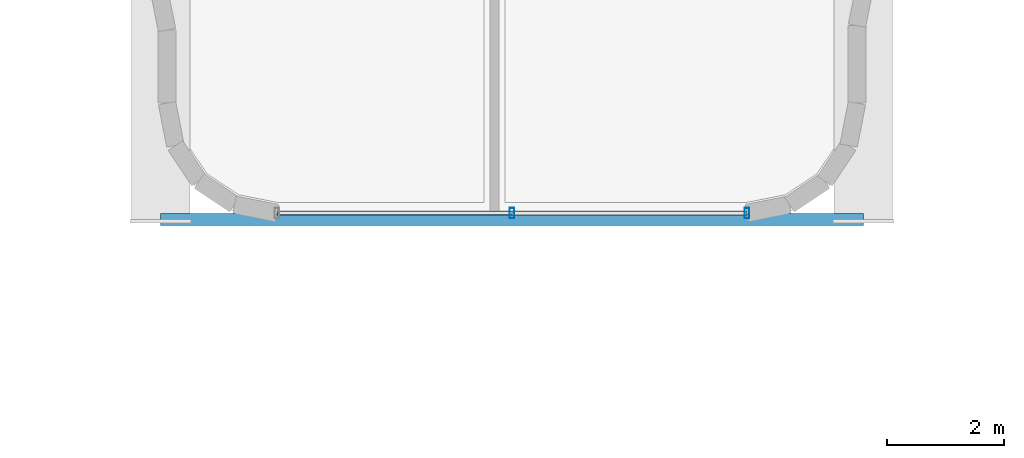
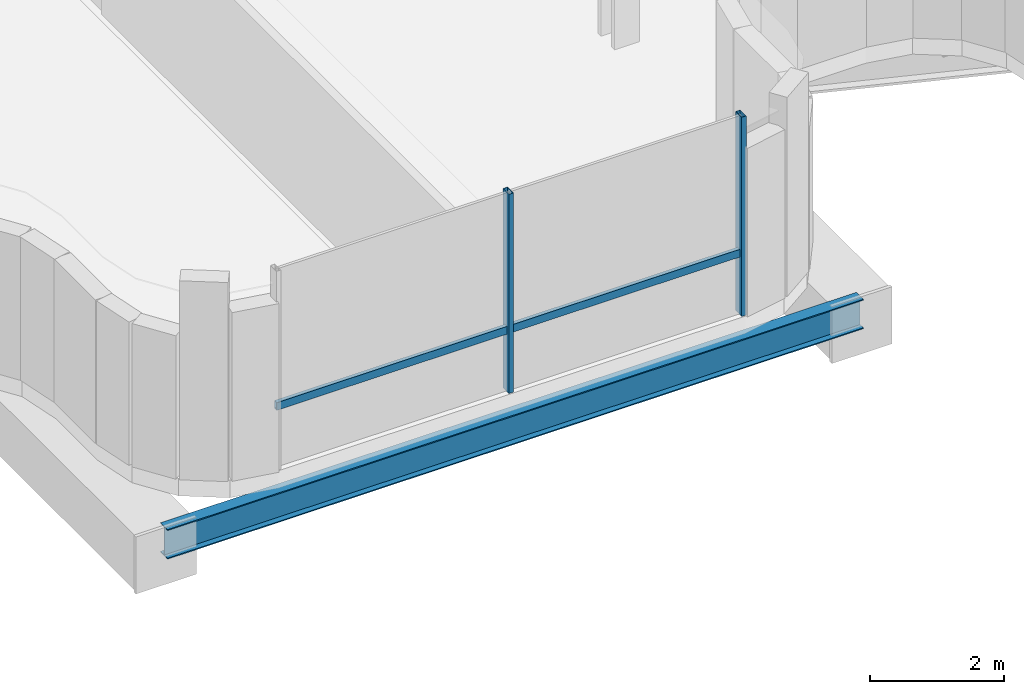
# One storey, part 10 of 38: 3 members, 1 beam, 1 element without a shape of its own.
"""IFC4 building model written with IfcOpenShell, lengths in metres."""

import ifcopenshell
import ifcopenshell.guid

model = None  # the IFC model being written
_history = None  # IfcOwnerHistory: only IFC2X3 demands one
_inside = {}  # id of a spatial element -> (the spatial element, [elements in it])
_under = {}  # id of a project, library or spatial element -> (it, [spatial elements below it])
_declared = {}  # id of a project -> (the project, [libraries it declares])
_typed = {}  # id of a type object -> (the type object, [elements of that type])
_made_of = {}  # id of a material, layer set ... -> (it, [elements and type objects made of it])


def new_model(schema):
    """Start an empty IFC model of exactly this schema.

    Asked for "IFC4X3", IfcOpenShell would pick the latest addendum, in which some entities
    have other attributes; the version numbers below select the first issue.
    IFC2X3 requires an IfcOwnerHistory on every rooted entity: one is made here for all.
    """
    global model, _history
    if schema == "IFC4X3":
        model = ifcopenshell.file(schema_version=(4, 3, 0, 0))
    else:
        model = ifcopenshell.file(schema=schema)
    _inside.clear()
    _under.clear()
    _declared.clear()
    _typed.clear()
    _made_of.clear()
    _history = None
    if model.schema == "IFC2X3":
        org = make("IfcOrganization", Name="unknown")
        user = make(
            "IfcPersonAndOrganization",
            ThePerson=make("IfcPerson", FamilyName="unknown"),
            TheOrganization=org,
        )
        app = make(
            "IfcApplication",
            ApplicationDeveloper=org,
            Version="unknown",
            ApplicationFullName="unknown",
            ApplicationIdentifier="unknown",
        )
        _history = make(
            "IfcOwnerHistory",
            OwningUser=user,
            OwningApplication=app,
            ChangeAction="ADDED",
            CreationDate=0,
        )
    return model


def make(cls, **values):
    """One entity of the class cls with the attributes given. An attribute that is None is left unset."""
    return model.create_entity(
        cls, **{name: value for name, value in values.items() if value is not None}
    )


def rooted(cls, **values):
    """An entity with a GlobalId (a new one), such as an element, a storey or a relation."""
    return make(cls, GlobalId=ifcopenshell.guid.new(), OwnerHistory=_history, **values)


def si_unit(unit_type, name, prefix=None):
    """IfcSIUnit, for example si_unit("LENGTHUNIT", "METRE", prefix="MILLI")."""
    return make("IfcSIUnit", UnitType=unit_type, Prefix=prefix, Name=name)


def assignment(units):
    """IfcUnitAssignment: the units of a project."""
    return None if units is None else make("IfcUnitAssignment", Units=units)


def point(xyz):
    """IfcCartesianPoint."""
    return None if xyz is None else make("IfcCartesianPoint", Coordinates=xyz)


def direction(xyz):
    """IfcDirection."""
    return None if xyz is None else make("IfcDirection", DirectionRatios=xyz)


def frame(location, z_axis=None, x_axis=None):
    """IfcAxis2Placement3D, a coordinate frame: its origin and axes. An axis left out is left unset."""
    return make(
        "IfcAxis2Placement3D",
        Location=point(location),
        Axis=direction(z_axis),
        RefDirection=direction(x_axis),
    )


def frame_2d(location, x_axis=None):
    """IfcAxis2Placement2D, a coordinate frame in the plane: its origin and x axis."""
    return make(
        "IfcAxis2Placement2D", Location=point(location), RefDirection=direction(x_axis)
    )


def origin():
    """The frame at (0, 0, 0) with its axes left unset."""
    return frame((0.0, 0.0, 0.0))


def origin_2d():
    """The frame at (0, 0) in the plane with its x axis left unset."""
    return frame_2d((0.0, 0.0))


def place(relative_to, where):
    """IfcLocalPlacement: puts the frame where relative to a parent placement (None: the world)."""
    return make(
        "IfcLocalPlacement", PlacementRelTo=relative_to, RelativePlacement=where
    )


def context(
    kind, dimensions, precision=None, world=None, true_north=None, identifier=None
):
    """IfcGeometricRepresentationContext, for example the 3D "Model" context."""
    return make(
        "IfcGeometricRepresentationContext",
        ContextIdentifier=identifier,
        ContextType=kind,
        CoordinateSpaceDimension=dimensions,
        Precision=precision,
        WorldCoordinateSystem=world,
        TrueNorth=true_north,
    )


def subcontext(parent, identifier, kind, view, scale=None):
    """IfcGeometricRepresentationSubContext, for example "Body" below "Model"."""
    return make(
        "IfcGeometricRepresentationSubContext",
        ContextIdentifier=identifier,
        ContextType=kind,
        ParentContext=parent,
        TargetScale=scale,
        TargetView=view,
    )


def project(units=None, contexts=None):
    """IfcProject with its units and contexts."""
    return rooted(
        "IfcProject",
        Name="project",
        RepresentationContexts=contexts,
        UnitsInContext=assignment(units),
    )


def spatial(cls, under=None, at=None, **own):
    """A site, building, storey or space (cls), placed at a placement, below another one or the project."""
    s = rooted(cls, ObjectPlacement=at, **own)
    if under is not None:
        _under.setdefault(under.id(), (under, []))[1].append(s)
    return s


def profile(cls, at=None, kind="AREA", **sizes):
    """A parametric profile (cls). Its sizes go by their IFC names, for example OverallWidth=200.0."""
    return make(cls, ProfileType=kind, Position=at, **sizes)


def hollow_rectangle(**sizes):
    """IfcRectangleHollowProfileDef."""
    return profile("IfcRectangleHollowProfileDef", **sizes)


def i_section(**sizes):
    """IfcIShapeProfileDef."""
    return profile("IfcIShapeProfileDef", **sizes)


def extrude(swept, where, along, depth):
    """IfcExtrudedAreaSolid: the profile swept, set in the frame where, extruded along a direction by depth."""
    return make(
        "IfcExtrudedAreaSolid",
        SweptArea=swept,
        Position=where,
        ExtrudedDirection=direction(along),
        Depth=depth,
    )


def shape(context_of_items, identifier, shape_type, items):
    """IfcShapeRepresentation: the items that make up one representation, for example the "Body"."""
    return make(
        "IfcShapeRepresentation",
        ContextOfItems=context_of_items,
        RepresentationIdentifier=identifier,
        RepresentationType=shape_type,
        Items=items,
    )


def source(mapping_origin, context_of_items, identifier, shape_type, items):
    """IfcRepresentationMap: a shape defined once, which mapped items show again and again."""
    return make(
        "IfcRepresentationMap",
        MappingOrigin=mapping_origin,
        MappedRepresentation=shape(context_of_items, identifier, shape_type, items),
    )


def transform(
    local_origin,
    x_axis=None,
    y_axis=None,
    z_axis=None,
    scale=None,
    scale2=None,
    scale3=None,
    uniform=True,
):
    """IfcCartesianTransformationOperator3D, or its non-uniform kind. x_axis, y_axis, z_axis: its Axis1, 2, 3."""
    if uniform:
        return make(
            "IfcCartesianTransformationOperator3D",
            Axis1=direction(x_axis),
            Axis2=direction(y_axis),
            LocalOrigin=point(local_origin),
            Scale=scale,
            Axis3=direction(z_axis),
        )
    return make(
        "IfcCartesianTransformationOperator3DnonUniform",
        Axis1=direction(x_axis),
        Axis2=direction(y_axis),
        LocalOrigin=point(local_origin),
        Scale=scale,
        Axis3=direction(z_axis),
        Scale2=scale2,
        Scale3=scale3,
    )


def mapped(mapping_source, mapping_target):
    """IfcMappedItem: shows the shape of a source again, moved by a transform."""
    return make(
        "IfcMappedItem", MappingSource=mapping_source, MappingTarget=mapping_target
    )


def material(Name=None, Category=None):
    """IfcMaterial."""
    return make("IfcMaterial", Name=Name, Category=Category)


def material_profile(
    of_material, cross_section, Name=None, Category=None, Priority=None
):
    """IfcMaterialProfile: a cross section and its material."""
    return make(
        "IfcMaterialProfile",
        Name=Name,
        Material=of_material,
        Profile=cross_section,
        Priority=Priority,
        Category=Category,
    )


def profile_set(profiles, Name=None, composite=None):
    """IfcMaterialProfileSet."""
    return make(
        "IfcMaterialProfileSet",
        Name=Name,
        MaterialProfiles=profiles,
        CompositeProfile=composite,
    )


def made_of(thing, what):
    """Note that an element or type object is made of a material, layer set ...; save() writes the relation."""
    if what is not None:
        _made_of.setdefault(what.id(), (what, []))[1].append(thing)
    return thing


def type_object(cls, material=None, **own):
    """A type object (cls), such as IfcWallType, which elements share."""
    return made_of(rooted(cls, **own), material)


def element(
    cls,
    number,
    at=None,
    inside=None,
    cuts=None,
    type_object=None,
    material=None,
    context=None,
    identifier="Body",
    shape_type=None,
    held_by="IfcProductDefinitionShape",
    body=None,
    shapes=None,
    **own,
):
    """One element of the class cls, such as IfcWall. Its Tag is "e" and its number.

    at: its placement. inside: the storey or other place that contains it. cuts: it is an
    opening in that element (IfcRelVoidsElement). A single representation is given by context,
    identifier, shape_type and body (its items); several are given by shapes. held_by: the class
    of the entity that holds the representations. save() writes the other relations.
    """
    e = rooted(cls, Tag="e%d" % number, ObjectPlacement=at, **own)
    if body is not None:
        shapes = [shape(context, identifier, shape_type, body)]
    if shapes is not None:
        e.Representation = make(held_by, Representations=shapes)
    if inside is not None:
        _inside.setdefault(inside.id(), (inside, []))[1].append(e)
    if cuts is not None:
        rooted(
            "IfcRelVoidsElement", RelatingBuildingElement=cuts, RelatedOpeningElement=e
        )
    if type_object is not None:
        _typed.setdefault(type_object.id(), (type_object, []))[1].append(e)
    return made_of(e, material)


def aggregate(whole, parts):
    """IfcRelAggregates: a whole, such as a stair, and the parts it consists of."""
    return rooted("IfcRelAggregates", RelatingObject=whole, RelatedObjects=parts)


def save(model, path):
    """Write the relations noted so far, then the file.

    IfcRelAggregates (storeys below a building ...), IfcRelContainedInSpatialStructure (elements
    in a storey), IfcRelDefinesByType, IfcRelAssociatesMaterial and IfcRelDeclares: one each for
    every whole, place, type object, material and project.
    """
    for whole, parts in _under.values():
        aggregate(whole, parts)
    for where, things in _inside.values():
        rooted(
            "IfcRelContainedInSpatialStructure",
            RelatedElements=things,
            RelatingStructure=where,
        )
    for kind, things in _typed.values():
        rooted("IfcRelDefinesByType", RelatedObjects=things, RelatingType=kind)
    for what, things in _made_of.values():
        rooted("IfcRelAssociatesMaterial", RelatedObjects=things, RelatingMaterial=what)
    for by, libraries in _declared.values():
        rooted("IfcRelDeclares", RelatingContext=by, RelatedDefinitions=libraries)
    model.write(path)


model = new_model("IFC4")

# Units and contexts
model_context = context("Model", 3, precision=1e-05, world=origin(), true_north=direction((0.0, 1.0)))
body_context = subcontext(model_context, "Body", "Model", "MODEL_VIEW")
ifc_project = project(units=[si_unit("LENGTHUNIT", "METRE"), si_unit("AREAUNIT", "SQUARE_METRE"), si_unit("VOLUMEUNIT", "CUBIC_METRE"), si_unit("PLANEANGLEUNIT", "RADIAN"), si_unit("MASSUNIT", "GRAM", prefix="KILO")], contexts=[model_context])

# Site, building, storey
site_placement = place(None, origin())
site = spatial("IfcSite", under=ifc_project, at=site_placement, CompositionType="ELEMENT")
building_placement = place(site_placement, origin())
building = spatial("IfcBuilding", under=site, at=building_placement, Name="Valdorenza Pilgrim Sanctuary Tower", CompositionType="ELEMENT")
storey_placement = place(building_placement, frame((0.0, 0.0, 180.5)))
storey = spatial("IfcBuildingStorey", under=building, at=storey_placement, Name="L46", CompositionType="ELEMENT", Elevation=180.5)

# Beam
ifc_material_1 = material(Name="Steel ASTM A992 Grade 50", Category="steel")
ifc_material_profile_1 = material_profile(ifc_material_1, i_section(OverallWidth=0.2109375, OverallDepth=0.5390625, WebThickness=0.01171875, FlangeThickness=0.018798828125, at=origin_2d()), Name="W21X73")
ifc_profile_set_1 = profile_set([ifc_material_profile_1], Name="Steel ASTM A992 Grade 50")
beam_type = type_object("IfcBeamType", Name="STR-BM-SPN-W21B", PredefinedType="SPANDREL", material=ifc_profile_set_1)
shared_shape_1 = source(origin(), body_context, "Body", "SweptSolid", [
    extrude(i_section(OverallWidth=0.2109375, OverallDepth=0.5390625, WebThickness=0.01171875, FlangeThickness=0.018798828125, at=origin_2d()), origin(), (0.0, 0.0, 1.0), 12.0),
])
beam_placement = place(storey_placement, frame((-3.5, -7.199951171875, -0.589599609375), z_axis=(1.0, 0.0, 0.0), x_axis=(0.0, 1.0, 0.0)))
element("IfcBeam", 1, at=beam_placement, inside=storey, type_object=beam_type, Name="L46 South Prow Tip Spandrel PROW-TIP-S", PredefinedType="SPANDREL", context=body_context, shape_type="MappedRepresentation", body=[
    mapped(shared_shape_1, transform((0.0, 0.0, 0.0), x_axis=(1.0, 0.0, 0.0), y_axis=(0.0, 1.0, 0.0), z_axis=(0.0, 0.0, 1.0), scale=1.0)),
])

# Curtain wall, members
ifc_material_2 = material(Name="Curtain-wall IGU glazing", Category="glass")
curtain_wall_type = type_object("IfcCurtainWallType", Name="CW-SYS-05", PredefinedType="NOTDEFINED", material=ifc_material_2)
curtain_wall_placement = place(storey_placement, origin())
curtain_wall = element("IfcCurtainWall", 2, at=curtain_wall_placement, inside=storey, type_object=curtain_wall_type, Name="L46 Curtain Wall CW-L46-1-62", PredefinedType="NOTDEFINED")
ifc_material_3 = material(Name="Anodised aluminium AW-6060", Category="aluminium")
ifc_material_profile_2 = material_profile(ifc_material_3, hollow_rectangle(XDim=0.070068359375, YDim=0.139892578125, WallThickness=0.00341796875, at=origin_2d()), Name="ALU-T 140x70x3.5")
ifc_profile_set_2 = profile_set([ifc_material_profile_2], Name="Anodised aluminium AW-6060")
member_type_1 = type_object("IfcMemberType", Name="CW-TRN-05", PredefinedType="USERDEFINED", material=ifc_profile_set_2)
shared_shape_2 = source(origin(), body_context, "Body", "SweptSolid", [
    extrude(hollow_rectangle(XDim=0.070068359375, YDim=0.139892578125, WallThickness=0.00341796875, at=origin_2d()), origin(), (0.0, 0.0, 1.0), 8.0263671875),
])
member_1_placement = place(storey_placement, frame((6.51318359375, -7.090087890625, 1.1201171875), z_axis=(-1.0, 0.0, 0.0), x_axis=(0.0, -1.0, 0.0)))
member_1 = element("IfcMember", 3, at=member_1_placement, type_object=member_type_1, Name="CW-L46-1-62 Transom 1", ObjectType="TRANSOM", PredefinedType="USERDEFINED", context=body_context, shape_type="MappedRepresentation", body=[
    mapped(shared_shape_2, transform((0.0, 0.0, 0.0), x_axis=(1.0, 0.0, 0.0), y_axis=(0.0, 1.0, 0.0), z_axis=(0.0, 0.0, 1.0), scale=1.0)),
])
ifc_material_profile_3 = material_profile(ifc_material_3, hollow_rectangle(XDim=0.080078125, YDim=0.179931640625, WallThickness=0.00439453125, at=origin_2d()), Name="ALU-M 180x80x4.5")
ifc_profile_set_3 = profile_set([ifc_material_profile_3], Name="Anodised aluminium AW-6060")
member_type_2 = type_object("IfcMemberType", Name="CW-MUL-05", PredefinedType="MULLION", material=ifc_profile_set_3)
shared_shape_3 = source(origin(), body_context, "Body", "SweptSolid", [
    extrude(hollow_rectangle(XDim=0.080078125, YDim=0.179931640625, WallThickness=0.00439453125, at=origin_2d()), origin(), (0.0, 0.0, 1.0), 3.6298828125),
])
member_2_placement = place(storey_placement, frame((6.51318359375, -7.090087890625, 0.0), z_axis=(0.0, 0.0, 1.0), x_axis=(-1.0, 0.0, 0.0)))
member_2 = element("IfcMember", 4, at=member_2_placement, type_object=member_type_2, Name="CW-L46-1-62 Mullion 1", PredefinedType="MULLION", context=body_context, shape_type="MappedRepresentation", body=[
    mapped(shared_shape_3, transform((0.0, 0.0, 0.0), x_axis=(1.0, 0.0, 0.0), y_axis=(0.0, 1.0, 0.0), z_axis=(0.0, 0.0, 1.0), scale=1.0)),
])
member_3_placement = place(storey_placement, frame((2.5, -7.090087890625, 0.0), z_axis=(0.0, 0.0, 1.0), x_axis=(-1.0, 0.0, 0.0)))
member_3 = element("IfcMember", 5, at=member_3_placement, type_object=member_type_2, Name="CW-L46-1-62 Mullion 2", PredefinedType="MULLION", context=body_context, shape_type="MappedRepresentation", body=[
    mapped(shared_shape_3, transform((0.0, 0.0, 0.0), x_axis=(1.0, 0.0, 0.0), y_axis=(0.0, 1.0, 0.0), z_axis=(0.0, 0.0, 1.0), scale=1.0)),
])
aggregate(curtain_wall, [member_2, member_3, member_1])

save(model, "model.ifc")
